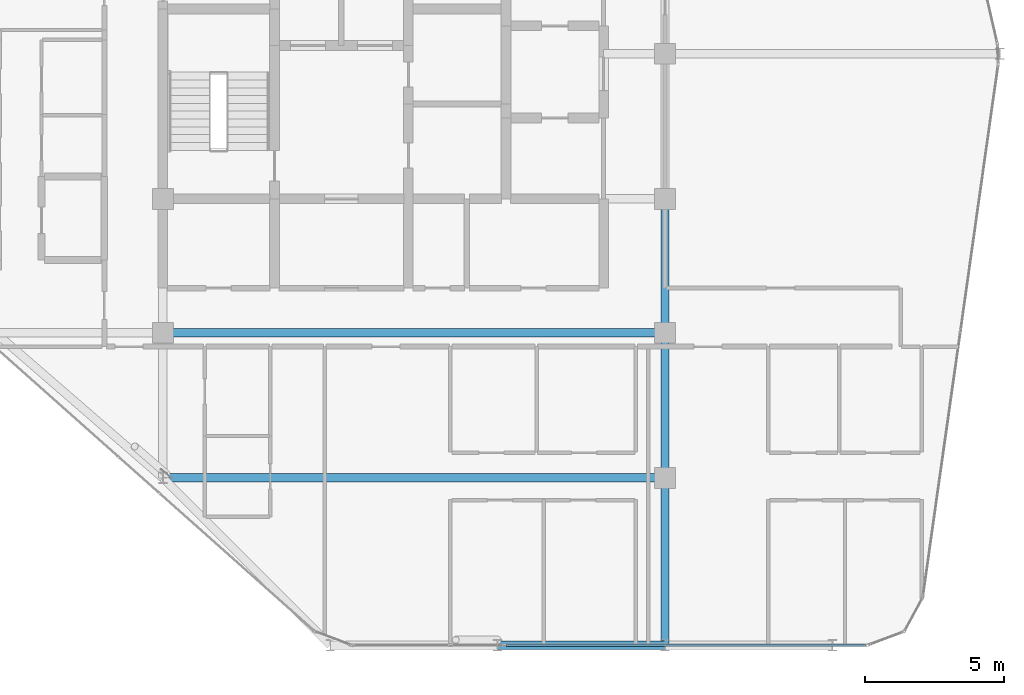
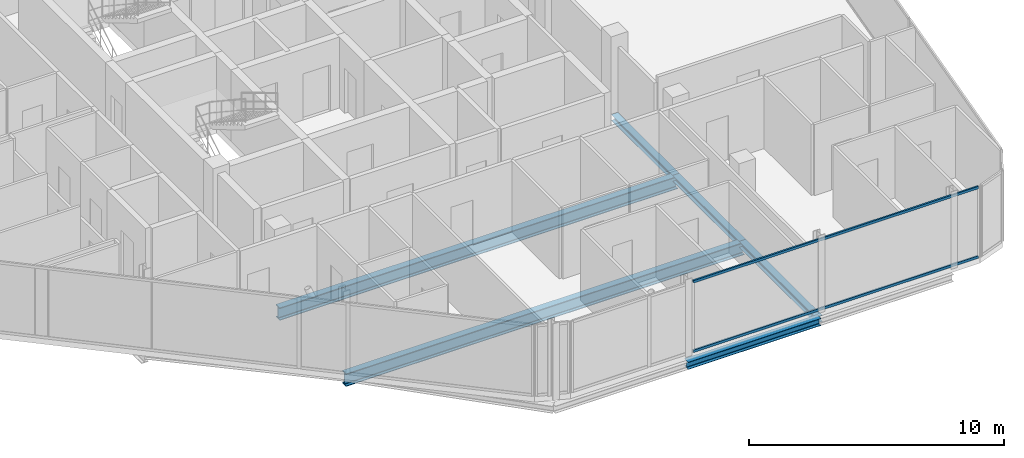
# One storey, part 7 of 27: 6 beams, 2 members, 1 element without a shape of its own.
"""IFC4 building model written with IfcOpenShell, lengths in metres."""

from ifc_helpers import new_model, si_unit, direction, frame, origin, origin_2d, place, context, subcontext, project, spatial, hollow_rectangle, i_section, extrude, material, layer, layer_set, material_profile, profile_set, type_object, element, aggregate, save


model = new_model("IFC4")

# Units and contexts
model_context = context("Model", 3, precision=1e-05, world=origin(), true_north=direction((0.0, 1.0)))
body_context = subcontext(model_context, "Body", "Model", "MODEL_VIEW")
ifc_project = project(units=[si_unit("LENGTHUNIT", "METRE"), si_unit("AREAUNIT", "SQUARE_METRE"), si_unit("VOLUMEUNIT", "CUBIC_METRE"), si_unit("PLANEANGLEUNIT", "RADIAN"), si_unit("MASSUNIT", "GRAM", prefix="KILO")], contexts=[model_context])

# Site, building, storey
site_placement = place(None, origin())
site = spatial("IfcSite", under=ifc_project, at=site_placement, CompositionType="ELEMENT")
building_placement = place(site_placement, origin())
building = spatial("IfcBuilding", under=site, at=building_placement, Name="Keshet Zoharim Tower", CompositionType="ELEMENT")
storey_placement = place(building_placement, frame((0.0, 0.0, 247.300048828125)))
storey = spatial("IfcBuildingStorey", under=building, at=storey_placement, Name="L61", CompositionType="ELEMENT", Elevation=247.300048828125)

# Beams
ifc_material_1 = material(Name="Steel S355", Category="steel")
ifc_material_profile_1 = material_profile(ifc_material_1, i_section(OverallWidth=0.300048828125, OverallDepth=0.60009765625, WebThickness=0.015380859375, FlangeThickness=0.030029296875, FilletRadius=0.027099609375, at=origin_2d()), Name="HEB600")
ifc_profile_set_1 = profile_set([ifc_material_profile_1], Name="Steel S355")
beam_type_1 = type_object("IfcBeamType", Name="BM-LNG-HB600", PredefinedType="BEAM", material=ifc_profile_set_1)
for number, where, z_axis, x_axis, name in (
    (1, (15.0, 12.699951171875, -0.610107421875), (1.0, 0.0, 0.0), (0.0, 1.0, 0.0), "L61 Primary Girder X-004"),
    (2, (15.0, 17.89990234375, -0.610107421875), (1.0, 0.0, 0.0), (0.0, 1.0, 0.0), "L61 Primary Girder X-006"),
):
    element("IfcBeam", number, at=place(storey_placement, frame(where, z_axis=z_axis, x_axis=x_axis)), inside=storey, type_object=beam_type_1, Name=name, PredefinedType="BEAM", context=body_context, shape_type="SweptSolid", body=[
        extrude(i_section(OverallWidth=0.300048828125, OverallDepth=0.60009765625, WebThickness=0.015380859375, FlangeThickness=0.030029296875, FilletRadius=0.027099609375, at=origin_2d()), origin(), (0.0, 0.0, 1.0), 18.0),
    ])
ifc_material_profile_2 = material_profile(ifc_material_1, i_section(OverallWidth=0.300048828125, OverallDepth=0.2900390625, WebThickness=0.008544921875, FlangeThickness=0.013916015625, FilletRadius=0.027099609375, at=origin_2d()), Name="HEA300")
ifc_profile_set_2 = profile_set([ifc_material_profile_2], Name="Steel S355")
beam_type_2 = type_object("IfcBeamType", Name="BM-PRI-HA300", PredefinedType="BEAM", material=ifc_profile_set_2)
beam_1_placement = place(storey_placement, frame((33.0, 6.699951171875, -0.455078125), z_axis=(0.0, 1.0, 0.0), x_axis=(-1.0, 0.0, 0.0)))
element("IfcBeam", 3, at=beam_1_placement, inside=storey, type_object=beam_type_2, Name="L61 Primary Girder Y-004", PredefinedType="BEAM", context=body_context, shape_type="SweptSolid", body=[
    extrude(i_section(OverallWidth=0.300048828125, OverallDepth=0.2900390625, WebThickness=0.008544921875, FlangeThickness=0.013916015625, FilletRadius=0.027099609375, at=origin_2d()), origin(), (0.0, 0.0, 1.0), 6.0),
])
beam_2_placement = place(storey_placement, frame((33.0, 12.699951171875, -0.455078125), z_axis=(0.0, 1.0, 0.0), x_axis=(-1.0, 0.0, 0.0)))
element("IfcBeam", 4, at=beam_2_placement, inside=storey, type_object=beam_type_2, Name="L61 Primary Girder Y-005", PredefinedType="BEAM", context=body_context, shape_type="SweptSolid", body=[
    extrude(i_section(OverallWidth=0.300048828125, OverallDepth=0.2900390625, WebThickness=0.008544921875, FlangeThickness=0.013916015625, FilletRadius=0.027099609375, at=origin_2d()), origin(), (0.0, 0.0, 1.0), 5.199951171875),
])
beam_3_placement = place(storey_placement, frame((33.0, 17.89990234375, -0.455078125), z_axis=(0.0, 1.0, 0.0), x_axis=(-1.0, 0.0, 0.0)))
element("IfcBeam", 5, at=beam_3_placement, inside=storey, type_object=beam_type_2, Name="L61 Primary Girder Y-006", PredefinedType="BEAM", context=body_context, shape_type="SweptSolid", body=[
    extrude(i_section(OverallWidth=0.300048828125, OverallDepth=0.2900390625, WebThickness=0.008544921875, FlangeThickness=0.013916015625, FilletRadius=0.027099609375, at=origin_2d()), origin(), (0.0, 0.0, 1.0), 4.800048828125),
])
ifc_material_profile_3 = material_profile(ifc_material_1, i_section(OverallWidth=0.300048828125, OverallDepth=0.35009765625, WebThickness=0.010009765625, FlangeThickness=0.017578125, FilletRadius=0.027099609375, at=origin_2d()), Name="HEA360")
ifc_profile_set_3 = profile_set([ifc_material_profile_3], Name="Steel S355")
beam_type_3 = type_object("IfcBeamType", Name="BM-PRI-HA360", PredefinedType="BEAM", material=ifc_profile_set_3)
beam_4_placement = place(storey_placement, frame((27.0, 6.699951171875, -0.485107421875), z_axis=(1.0, 0.0, 0.0), x_axis=(0.0, 1.0, 0.0)))
element("IfcBeam", 6, at=beam_4_placement, inside=storey, type_object=beam_type_3, Name="L61 Primary Girder X-002", PredefinedType="BEAM", context=body_context, shape_type="SweptSolid", body=[
    extrude(i_section(OverallWidth=0.300048828125, OverallDepth=0.35009765625, WebThickness=0.010009765625, FlangeThickness=0.017578125, FilletRadius=0.027099609375, at=origin_2d()), origin(), (0.0, 0.0, 1.0), 6.0),
])

# Curtain wall, members
ifc_material_2 = material(Name="Aluminium 6063-T6", Category="aluminium")
ifc_layer = layer(ifc_material_2, 0.260009765625)
ifc_layer_set = layer_set([ifc_layer], Name="Aluminium 6063-T6")
curtain_wall_type = type_object("IfcCurtainWallType", Name="CW-SYS-06", PredefinedType="NOTDEFINED", material=ifc_layer_set)
curtain_wall_placement = place(storey_placement, origin())
curtain_wall = element("IfcCurtainWall", 7, at=curtain_wall_placement, inside=storey, type_object=curtain_wall_type, Name="L61 Unitised Curtain Wall 14", PredefinedType="NOTDEFINED")
ifc_material_profile_4 = material_profile(ifc_material_2, hollow_rectangle(XDim=0.074951171875, YDim=0.1201171875, WallThickness=0.00390625, at=origin_2d()), Name="TRN-75x120")
ifc_profile_set_4 = profile_set([ifc_material_profile_4], Name="Aluminium 6063-T6")
member_type = type_object("IfcMemberType", Name="CWT-T12", PredefinedType="USERDEFINED", material=ifc_profile_set_4)
member_1_placement = place(storey_placement, frame((40.193115234375, 6.699951171875, 0.034912109375), z_axis=(-1.0, 0.0, 0.0), x_axis=(0.0, -1.0, 0.0)))
member_1 = element("IfcMember", 8, at=member_1_placement, type_object=member_type, Name="CW-06 transom 1.1", ObjectType="TRANSOM", PredefinedType="USERDEFINED", context=body_context, shape_type="SweptSolid", body=[
    extrude(hollow_rectangle(XDim=0.074951171875, YDim=0.1201171875, WallThickness=0.00390625, at=origin_2d()), origin(), (0.0, 0.0, 1.0), 12.898193359375),
])
member_2_placement = place(storey_placement, frame((40.193115234375, 6.699951171875, 3.35498046875), z_axis=(-1.0, 0.0, 0.0), x_axis=(0.0, -1.0, 0.0)))
member_2 = element("IfcMember", 9, at=member_2_placement, type_object=member_type, Name="CW-06 transom 1.2", ObjectType="TRANSOM", PredefinedType="USERDEFINED", context=body_context, shape_type="SweptSolid", body=[
    extrude(hollow_rectangle(XDim=0.074951171875, YDim=0.1201171875, WallThickness=0.00390625, at=origin_2d()), origin(), (0.0, 0.0, 1.0), 12.898193359375),
])
aggregate(curtain_wall, [member_1, member_2])

save(model, "model.ifc")
